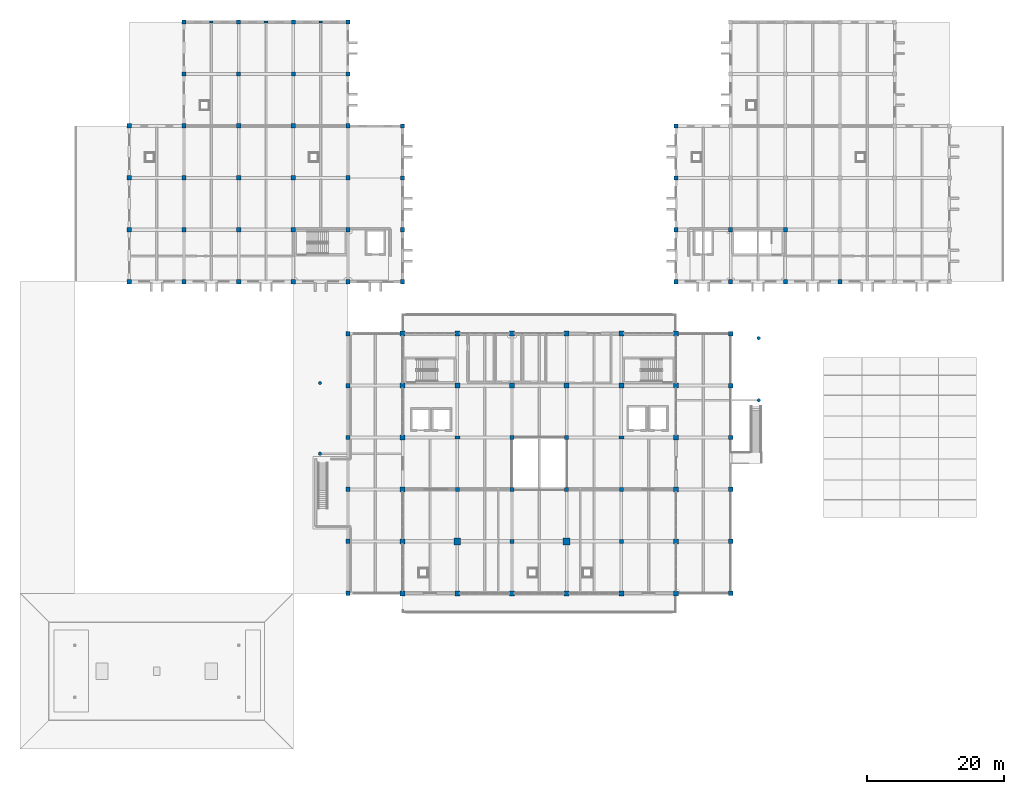
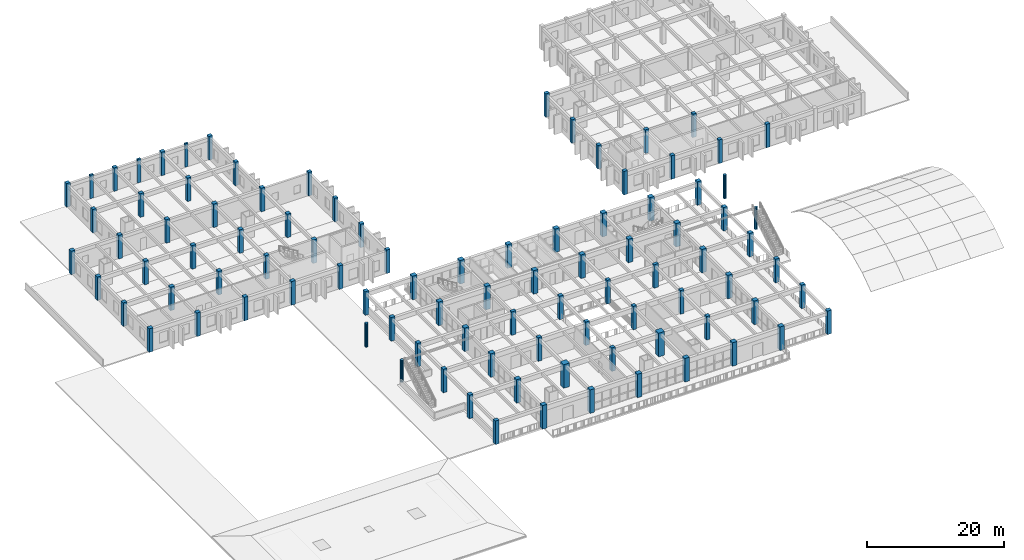
# One storey, part 2 of 63: 96 columns.
"""IFC4 building model written with IfcOpenShell, lengths in metres."""

from ifc_helpers import new_model, si_unit, direction, frame, origin, origin_2d, place, context, subcontext, project, spatial, rectangle, circle, extrude, material, material_profile, profile_set, type_object, element, save


model = new_model("IFC4")

# Units and contexts
model_context = context("Model", 3, precision=1e-05, world=origin(), true_north=direction((0.0, 1.0)))
body_context = subcontext(model_context, "Body", "Model", "MODEL_VIEW")
ifc_project = project(units=[si_unit("LENGTHUNIT", "METRE"), si_unit("AREAUNIT", "SQUARE_METRE"), si_unit("VOLUMEUNIT", "CUBIC_METRE"), si_unit("PLANEANGLEUNIT", "RADIAN"), si_unit("MASSUNIT", "GRAM", prefix="KILO")], contexts=[model_context])

# Site, building, storey
site_placement = place(None, origin())
site = spatial("IfcSite", under=ifc_project, at=site_placement, CompositionType="ELEMENT")
building_placement = place(site_placement, origin())
building = spatial("IfcBuilding", under=site, at=building_placement, Name="Zantavel Square City Hall", CompositionType="ELEMENT")
storey_placement = place(building_placement, frame((0.0, 0.0, 14.699951171875)))
storey = spatial("IfcBuildingStorey", under=building, at=storey_placement, Name="L04", CompositionType="ELEMENT", Elevation=14.699951171875)

# Columns
ifc_material = material(Name="Concrete C40/50", Category="concrete")
ifc_material_profile_1 = material_profile(ifc_material, rectangle(XDim=1.0, YDim=1.0, at=origin_2d()), Name="RC 1000x1000")
ifc_profile_set_1 = profile_set([ifc_material_profile_1], Name="Concrete C40/50")
column_type_1 = type_object("IfcColumnType", Name="Column RC 1000x1000 C40/50", PredefinedType="COLUMN", material=ifc_profile_set_1)
for number, where, z_axis, x_axis, name in (
    (1, (72.0, 38.0, 0.0), (0.0, 0.0, 1.0), (1.0, 0.0, 0.0), "L04 Column COL-L04-0720-0380"),
    (2, (88.0, 38.0, 0.0), (0.0, 0.0, 1.0), (1.0, 0.0, 0.0), "L04 Column COL-L04-0880-0380"),
):
    element("IfcColumn", number, at=place(storey_placement, frame(where, z_axis=z_axis, x_axis=x_axis)), inside=storey, type_object=column_type_1, Name=name, PredefinedType="COLUMN", context=body_context, shape_type="SweptSolid", body=[
        extrude(rectangle(XDim=1.0, YDim=1.0, at=origin_2d()), origin(), (0.0, 0.0, 1.0), 4.199951171875),
    ])
ifc_material_profile_2 = material_profile(ifc_material, rectangle(XDim=0.60009765625, YDim=0.60009765625, at=origin_2d()), Name="RC 600x600")
ifc_profile_set_2 = profile_set([ifc_material_profile_2], Name="Concrete C40/50")
column_type_2 = type_object("IfcColumnType", Name="Column RC 600x600 C40/50", PredefinedType="COLUMN", material=ifc_profile_set_2)
for number, where, z_axis, x_axis, name in (
    (3, (32.0, 106.39990234375, 0.0), (0.0, 0.0, 1.0), (1.0, 0.0, 0.0), "L04 Column COL-L04-0320-1064"),
    (4, (32.0, 114.0, 0.0), (0.0, 0.0, 1.0), (1.0, 0.0, 0.0), "L04 Column COL-L04-0320-1140"),
    (5, (40.0, 106.39990234375, 0.0), (0.0, 0.0, 1.0), (1.0, 0.0, 0.0), "L04 Column COL-L04-0400-1064"),
    (6, (40.0, 114.0, 0.0), (0.0, 0.0, 1.0), (1.0, 0.0, 0.0), "L04 Column COL-L04-0400-1140"),
    (7, (48.0, 106.39990234375, 0.0), (0.0, 0.0, 1.0), (1.0, 0.0, 0.0), "L04 Column COL-L04-0480-1064"),
    (8, (48.0, 114.0, 0.0), (0.0, 0.0, 1.0), (1.0, 0.0, 0.0), "L04 Column COL-L04-0480-1140"),
    (9, (56.0, 106.39990234375, 0.0), (0.0, 0.0, 1.0), (1.0, 0.0, 0.0), "L04 Column COL-L04-0560-1064"),
    (10, (56.0, 114.0, 0.0), (0.0, 0.0, 1.0), (1.0, 0.0, 0.0), "L04 Column COL-L04-0560-1140"),
    (11, (64.0, 76.0, 0.0), (0.0, 0.0, 1.0), (1.0, 0.0, 0.0), "L04 Column COL-L04-0640-0760"),
    (12, (64.0, 83.60009765625, 0.0), (0.0, 0.0, 1.0), (1.0, 0.0, 0.0), "L04 Column COL-L04-0640-0836"),
    (13, (64.0, 91.199951171875, 0.0), (0.0, 0.0, 1.0), (1.0, 0.0, 0.0), "L04 Column COL-L04-0640-0912"),
    (14, (64.0, 98.800048828125, 0.0), (0.0, 0.0, 1.0), (1.0, 0.0, 0.0), "L04 Column COL-L04-0640-0988"),
    (15, (72.0, 45.60009765625, 0.0), (0.0, 0.0, 1.0), (1.0, 0.0, 0.0), "L04 Column COL-L04-0720-0456"),
    (16, (80.0, 38.0, 0.0), (0.0, 0.0, 1.0), (1.0, 0.0, 0.0), "L04 Column COL-L04-0800-0380"),
    (17, (80.0, 45.60009765625, 0.0), (0.0, 0.0, 1.0), (1.0, 0.0, 0.0), "L04 Column COL-L04-0800-0456"),
    (18, (80.0, 53.199951171875, 0.0), (0.0, 0.0, 1.0), (1.0, 0.0, 0.0), "L04 Column COL-L04-0800-0532"),
    (19, (88.0, 45.60009765625, 0.0), (0.0, 0.0, 1.0), (1.0, 0.0, 0.0), "L04 Column COL-L04-0880-0456"),
    (20, (88.0, 53.199951171875, 0.0), (0.0, 0.0, 1.0), (1.0, 0.0, 0.0), "L04 Column COL-L04-0880-0532"),
    (21, (96.0, 38.0, 0.0), (0.0, 0.0, 1.0), (1.0, 0.0, 0.0), "L04 Column COL-L04-0960-0380"),
    (22, (96.0, 45.60009765625, 0.0), (0.0, 0.0, 1.0), (1.0, 0.0, 0.0), "L04 Column COL-L04-0960-0456"),
    (23, (104.0, 76.0, 0.0), (0.0, 0.0, 1.0), (1.0, 0.0, 0.0), "L04 Column COL-L04-1040-0760"),
    (24, (104.0, 83.60009765625, 0.0), (0.0, 0.0, 1.0), (1.0, 0.0, 0.0), "L04 Column COL-L04-1040-0836"),
    (25, (104.0, 91.199951171875, 0.0), (0.0, 0.0, 1.0), (1.0, 0.0, 0.0), "L04 Column COL-L04-1040-0912"),
    (26, (104.0, 98.800048828125, 0.0), (0.0, 0.0, 1.0), (1.0, 0.0, 0.0), "L04 Column COL-L04-1040-0988"),
    (27, (112.0, 76.0, 0.0), (0.0, 0.0, 1.0), (1.0, 0.0, 0.0), "L04 Column COL-L04-1120-0760"),
    (28, (112.0, 83.60009765625, 0.0), (0.0, 0.0, 1.0), (1.0, 0.0, 0.0), "L04 Column COL-L04-1120-0836"),
    (29, (120.0, 76.0, 0.0), (0.0, 0.0, 1.0), (1.0, 0.0, 0.0), "L04 Column COL-L04-1200-0760"),
    (30, (120.0, 83.60009765625, 0.0), (0.0, 0.0, 1.0), (1.0, 0.0, 0.0), "L04 Column COL-L04-1200-0836"),
    (31, (128.0, 76.0, 0.0), (0.0, 0.0, 1.0), (1.0, 0.0, 0.0), "L04 Column COL-L04-1280-0760"),
):
    element("IfcColumn", number, at=place(storey_placement, frame(where, z_axis=z_axis, x_axis=x_axis)), inside=storey, type_object=column_type_2, Name=name, PredefinedType="COLUMN", context=body_context, shape_type="SweptSolid", body=[
        extrude(rectangle(XDim=0.60009765625, YDim=0.60009765625, at=origin_2d()), origin(), (0.0, 0.0, 1.0), 4.199951171875),
    ])
ifc_material_profile_3 = material_profile(ifc_material, rectangle(XDim=0.64990234375, YDim=0.64990234375, at=origin_2d()), Name="RC 650x650")
ifc_profile_set_3 = profile_set([ifc_material_profile_3], Name="Concrete C40/50")
column_type_3 = type_object("IfcColumnType", Name="Column RC 650x650 C40/50", PredefinedType="COLUMN", material=ifc_profile_set_3)
for number, where, z_axis, x_axis, name in (
    (32, (24.0, 76.0, 0.0), (0.0, 0.0, 1.0), (1.0, 0.0, 0.0), "L04 Column COL-L04-0240-0760"),
    (33, (24.0, 83.60009765625, 0.0), (0.0, 0.0, 1.0), (1.0, 0.0, 0.0), "L04 Column COL-L04-0240-0836"),
    (34, (24.0, 91.199951171875, 0.0), (0.0, 0.0, 1.0), (1.0, 0.0, 0.0), "L04 Column COL-L04-0240-0912"),
    (35, (24.0, 98.800048828125, 0.0), (0.0, 0.0, 1.0), (1.0, 0.0, 0.0), "L04 Column COL-L04-0240-0988"),
    (36, (32.0, 76.0, 0.0), (0.0, 0.0, 1.0), (1.0, 0.0, 0.0), "L04 Column COL-L04-0320-0760"),
    (37, (32.0, 83.60009765625, 0.0), (0.0, 0.0, 1.0), (1.0, 0.0, 0.0), "L04 Column COL-L04-0320-0836"),
    (38, (32.0, 91.199951171875, 0.0), (0.0, 0.0, 1.0), (1.0, 0.0, 0.0), "L04 Column COL-L04-0320-0912"),
    (39, (32.0, 98.800048828125, 0.0), (0.0, 0.0, 1.0), (1.0, 0.0, 0.0), "L04 Column COL-L04-0320-0988"),
    (40, (40.0, 76.0, 0.0), (0.0, 0.0, 1.0), (1.0, 0.0, 0.0), "L04 Column COL-L04-0400-0760"),
    (41, (40.0, 83.60009765625, 0.0), (0.0, 0.0, 1.0), (1.0, 0.0, 0.0), "L04 Column COL-L04-0400-0836"),
    (42, (40.0, 91.199951171875, 0.0), (0.0, 0.0, 1.0), (1.0, 0.0, 0.0), "L04 Column COL-L04-0400-0912"),
    (43, (40.0, 98.800048828125, 0.0), (0.0, 0.0, 1.0), (1.0, 0.0, 0.0), "L04 Column COL-L04-0400-0988"),
    (44, (48.0, 76.0, 0.0), (0.0, 0.0, 1.0), (1.0, 0.0, 0.0), "L04 Column COL-L04-0480-0760"),
    (45, (48.0, 83.60009765625, 0.0), (0.0, 0.0, 1.0), (1.0, 0.0, 0.0), "L04 Column COL-L04-0480-0836"),
    (46, (48.0, 91.199951171875, 0.0), (0.0, 0.0, 1.0), (1.0, 0.0, 0.0), "L04 Column COL-L04-0480-0912"),
    (47, (48.0, 98.800048828125, 0.0), (0.0, 0.0, 1.0), (1.0, 0.0, 0.0), "L04 Column COL-L04-0480-0988"),
    (48, (56.0, 30.39990234375, 0.0), (0.0, 0.0, 1.0), (1.0, 0.0, 0.0), "L04 Column COL-L04-0560-0304"),
    (49, (56.0, 38.0, 0.0), (0.0, 0.0, 1.0), (1.0, 0.0, 0.0), "L04 Column COL-L04-0560-0380"),
    (50, (56.0, 45.60009765625, 0.0), (0.0, 0.0, 1.0), (1.0, 0.0, 0.0), "L04 Column COL-L04-0560-0456"),
    (51, (56.0, 53.199951171875, 0.0), (0.0, 0.0, 1.0), (1.0, 0.0, 0.0), "L04 Column COL-L04-0560-0532"),
    (52, (56.0, 60.800048828125, 0.0), (0.0, 0.0, 1.0), (1.0, 0.0, 0.0), "L04 Column COL-L04-0560-0608"),
    (53, (56.0, 68.39990234375, 0.0), (0.0, 0.0, 1.0), (1.0, 0.0, 0.0), "L04 Column COL-L04-0560-0684"),
    (54, (56.0, 76.0, 0.0), (0.0, 0.0, 1.0), (1.0, 0.0, 0.0), "L04 Column COL-L04-0560-0760"),
    (55, (56.0, 83.60009765625, 0.0), (0.0, 0.0, 1.0), (1.0, 0.0, 0.0), "L04 Column COL-L04-0560-0836"),
    (56, (56.0, 91.199951171875, 0.0), (0.0, 0.0, 1.0), (1.0, 0.0, 0.0), "L04 Column COL-L04-0560-0912"),
    (57, (56.0, 98.800048828125, 0.0), (0.0, 0.0, 1.0), (1.0, 0.0, 0.0), "L04 Column COL-L04-0560-0988"),
    (58, (112.0, 30.39990234375, 0.0), (0.0, 0.0, 1.0), (1.0, 0.0, 0.0), "L04 Column COL-L04-1120-0304"),
    (59, (112.0, 38.0, 0.0), (0.0, 0.0, 1.0), (1.0, 0.0, 0.0), "L04 Column COL-L04-1120-0380"),
    (60, (112.0, 45.60009765625, 0.0), (0.0, 0.0, 1.0), (1.0, 0.0, 0.0), "L04 Column COL-L04-1120-0456"),
    (61, (112.0, 53.199951171875, 0.0), (0.0, 0.0, 1.0), (1.0, 0.0, 0.0), "L04 Column COL-L04-1120-0532"),
    (62, (112.0, 60.800048828125, 0.0), (0.0, 0.0, 1.0), (1.0, 0.0, 0.0), "L04 Column COL-L04-1120-0608"),
    (63, (112.0, 68.39990234375, 0.0), (0.0, 0.0, 1.0), (1.0, 0.0, 0.0), "L04 Column COL-L04-1120-0684"),
):
    element("IfcColumn", number, at=place(storey_placement, frame(where, z_axis=z_axis, x_axis=x_axis)), inside=storey, type_object=column_type_3, Name=name, PredefinedType="COLUMN", context=body_context, shape_type="SweptSolid", body=[
        extrude(rectangle(XDim=0.64990234375, YDim=0.64990234375, at=origin_2d()), origin(), (0.0, 0.0, 1.0), 4.199951171875),
    ])
ifc_material_profile_4 = material_profile(ifc_material, rectangle(XDim=0.75, YDim=0.75, at=origin_2d()), Name="RC 750x750")
ifc_profile_set_4 = profile_set([ifc_material_profile_4], Name="Concrete C40/50")
column_type_4 = type_object("IfcColumnType", Name="Column RC 750x750 C40/50", PredefinedType="COLUMN", material=ifc_profile_set_4)
for number, where, z_axis, x_axis, name in (
    (64, (64.0, 30.39990234375, 0.0), (0.0, 0.0, 1.0), (1.0, 0.0, 0.0), "L04 Column COL-L04-0640-0304"),
    (65, (64.0, 38.0, 0.0), (0.0, 0.0, 1.0), (1.0, 0.0, 0.0), "L04 Column COL-L04-0640-0380"),
    (66, (64.0, 45.60009765625, 0.0), (0.0, 0.0, 1.0), (1.0, 0.0, 0.0), "L04 Column COL-L04-0640-0456"),
    (67, (64.0, 53.199951171875, 0.0), (0.0, 0.0, 1.0), (1.0, 0.0, 0.0), "L04 Column COL-L04-0640-0532"),
    (68, (64.0, 60.800048828125, 0.0), (0.0, 0.0, 1.0), (1.0, 0.0, 0.0), "L04 Column COL-L04-0640-0608"),
    (69, (64.0, 68.39990234375, 0.0), (0.0, 0.0, 1.0), (1.0, 0.0, 0.0), "L04 Column COL-L04-0640-0684"),
    (70, (72.0, 30.39990234375, 0.0), (0.0, 0.0, 1.0), (1.0, 0.0, 0.0), "L04 Column COL-L04-0720-0304"),
    (71, (72.0, 60.800048828125, 0.0), (0.0, 0.0, 1.0), (1.0, 0.0, 0.0), "L04 Column COL-L04-0720-0608"),
    (72, (72.0, 68.39990234375, 0.0), (0.0, 0.0, 1.0), (1.0, 0.0, 0.0), "L04 Column COL-L04-0720-0684"),
    (73, (80.0, 30.39990234375, 0.0), (0.0, 0.0, 1.0), (1.0, 0.0, 0.0), "L04 Column COL-L04-0800-0304"),
    (74, (80.0, 60.800048828125, 0.0), (0.0, 0.0, 1.0), (1.0, 0.0, 0.0), "L04 Column COL-L04-0800-0608"),
    (75, (80.0, 68.39990234375, 0.0), (0.0, 0.0, 1.0), (1.0, 0.0, 0.0), "L04 Column COL-L04-0800-0684"),
    (76, (88.0, 30.39990234375, 0.0), (0.0, 0.0, 1.0), (1.0, 0.0, 0.0), "L04 Column COL-L04-0880-0304"),
    (77, (88.0, 60.800048828125, 0.0), (0.0, 0.0, 1.0), (1.0, 0.0, 0.0), "L04 Column COL-L04-0880-0608"),
    (78, (88.0, 68.39990234375, 0.0), (0.0, 0.0, 1.0), (1.0, 0.0, 0.0), "L04 Column COL-L04-0880-0684"),
    (79, (96.0, 30.39990234375, 0.0), (0.0, 0.0, 1.0), (1.0, 0.0, 0.0), "L04 Column COL-L04-0960-0304"),
    (80, (96.0, 60.800048828125, 0.0), (0.0, 0.0, 1.0), (1.0, 0.0, 0.0), "L04 Column COL-L04-0960-0608"),
    (81, (96.0, 68.39990234375, 0.0), (0.0, 0.0, 1.0), (1.0, 0.0, 0.0), "L04 Column COL-L04-0960-0684"),
    (82, (104.0, 30.39990234375, 0.0), (0.0, 0.0, 1.0), (1.0, 0.0, 0.0), "L04 Column COL-L04-1040-0304"),
    (83, (104.0, 38.0, 0.0), (0.0, 0.0, 1.0), (1.0, 0.0, 0.0), "L04 Column COL-L04-1040-0380"),
    (84, (104.0, 45.60009765625, 0.0), (0.0, 0.0, 1.0), (1.0, 0.0, 0.0), "L04 Column COL-L04-1040-0456"),
    (85, (104.0, 53.199951171875, 0.0), (0.0, 0.0, 1.0), (1.0, 0.0, 0.0), "L04 Column COL-L04-1040-0532"),
    (86, (104.0, 60.800048828125, 0.0), (0.0, 0.0, 1.0), (1.0, 0.0, 0.0), "L04 Column COL-L04-1040-0608"),
    (87, (104.0, 68.39990234375, 0.0), (0.0, 0.0, 1.0), (1.0, 0.0, 0.0), "L04 Column COL-L04-1040-0684"),
):
    element("IfcColumn", number, at=place(storey_placement, frame(where, z_axis=z_axis, x_axis=x_axis)), inside=storey, type_object=column_type_4, Name=name, PredefinedType="COLUMN", context=body_context, shape_type="SweptSolid", body=[
        extrude(rectangle(XDim=0.75, YDim=0.75, at=origin_2d()), origin(), (0.0, 0.0, 1.0), 4.199951171875),
    ])
ifc_material_profile_5 = material_profile(ifc_material, rectangle(XDim=0.5, YDim=0.300048828125, at=origin_2d()), Name="RC 500x300")
ifc_profile_set_5 = profile_set([ifc_material_profile_5], Name="Concrete C40/50")
column_type_5 = type_object("IfcColumnType", Name="Courtyard Stone Pilaster 500x300 C40/50", PredefinedType="PILASTER", material=ifc_profile_set_5)
column_1_placement = place(storey_placement, frame((52.0, 114.0, 0.0), z_axis=(0.0, 0.0, 1.0), x_axis=(1.0, 0.0, 0.0)))
element("IfcColumn", 88, at=column_1_placement, inside=storey, type_object=column_type_5, Name="L04 Facade Pilaster PIL-L04-0520-1140", PredefinedType="PILASTER", context=body_context, shape_type="SweptSolid", body=[
    extrude(rectangle(XDim=0.5, YDim=0.300048828125, at=origin_2d()), origin(), (0.0, 0.0, 1.0), 4.199951171875),
])
ifc_material_profile_6 = material_profile(ifc_material, rectangle(XDim=0.550048828125, YDim=0.320068359375, at=origin_2d()), Name="RC 550x320")
ifc_profile_set_6 = profile_set([ifc_material_profile_6], Name="Concrete C40/50")
column_type_6 = type_object("IfcColumnType", Name="North Wing Stone Pilaster 550x320 C40/50", PredefinedType="PILASTER", material=ifc_profile_set_6)
for number, where, z_axis, x_axis, name in (
    (89, (36.0, 114.0, 0.0), (0.0, 0.0, 1.0), (1.0, 0.0, 0.0), "L04 Facade Pilaster PIL-L04-0360-1140"),
    (90, (44.0, 114.0, 0.0), (0.0, 0.0, 1.0), (1.0, 0.0, 0.0), "L04 Facade Pilaster PIL-L04-0440-1140"),
):
    element("IfcColumn", number, at=place(storey_placement, frame(where, z_axis=z_axis, x_axis=x_axis)), inside=storey, type_object=column_type_6, Name=name, PredefinedType="PILASTER", context=body_context, shape_type="SweptSolid", body=[
        extrude(rectangle(XDim=0.550048828125, YDim=0.320068359375, at=origin_2d()), origin(), (0.0, 0.0, 1.0), 4.199951171875),
    ])
ifc_material_profile_7 = material_profile(ifc_material, circle(Radius=0.25, at=origin_2d()), Name="ROUND D500")
ifc_profile_set_7 = profile_set([ifc_material_profile_7], Name="Concrete C40/50")
column_type_7 = type_object("IfcColumnType", Name="Portico Canopy Classical Column D500 C40/50", PredefinedType="COLUMN", material=ifc_profile_set_7)
column_2_placement = place(storey_placement, frame((116.10009765625, 58.659912109375, 0.0), z_axis=(0.0, 0.0, 1.0), x_axis=(1.0, 0.0, 0.0)))
element("IfcColumn", 91, at=column_2_placement, inside=storey, type_object=column_type_7, Name="L04 Terrace Stair Loggia Column 2", PredefinedType="COLUMN", context=body_context, shape_type="SweptSolid", body=[
    extrude(circle(Radius=0.25, at=origin_2d()), origin(), (0.0, 0.0, 1.0), 3.920166015625),
])
column_3_placement = place(storey_placement, frame((116.10009765625, 67.7451171875, 0.0), z_axis=(0.0, 0.0, 1.0), x_axis=(1.0, 0.0, 0.0)))
element("IfcColumn", 92, at=column_3_placement, inside=storey, type_object=column_type_7, Name="L04 Terrace Stair Loggia Column 3", PredefinedType="COLUMN", context=body_context, shape_type="SweptSolid", body=[
    extrude(circle(Radius=0.25, at=origin_2d()), origin(), (0.0, 0.0, 1.0), 4.199951171875),
])
column_4_placement = place(storey_placement, frame((51.89990234375, 50.8349609375, 0.0), z_axis=(0.0, 0.0, 1.0), x_axis=(1.0, 0.0, 0.0)))
element("IfcColumn", 93, at=column_4_placement, inside=storey, type_object=column_type_7, Name="L04 Terrace Stair Loggia Column 5", PredefinedType="COLUMN", context=body_context, shape_type="SweptSolid", body=[
    extrude(circle(Radius=0.25, at=origin_2d()), origin(), (0.0, 0.0, 1.0), 3.920166015625),
])
column_5_placement = place(storey_placement, frame((51.89990234375, 61.169921875, 0.0), z_axis=(0.0, 0.0, 1.0), x_axis=(1.0, 0.0, 0.0)))
element("IfcColumn", 94, at=column_5_placement, inside=storey, type_object=column_type_7, Name="L04 Terrace Stair Loggia Column 6", PredefinedType="COLUMN", context=body_context, shape_type="SweptSolid", body=[
    extrude(circle(Radius=0.25, at=origin_2d()), origin(), (0.0, 0.0, 1.0), 4.199951171875),
])
ifc_material_profile_8 = material_profile(ifc_material, rectangle(XDim=0.75, YDim=0.5, at=origin_2d()), Name="RC 750x500")
ifc_profile_set_8 = profile_set([ifc_material_profile_8], Name="Concrete C40/50")
column_type_8 = type_object("IfcColumnType", Name="Rectangular Lobby Pier RC 750x500 C40/50", PredefinedType="COLUMN", material=ifc_profile_set_8)
for number, where, z_axis, x_axis, name in (
    (95, (72.0, 53.199951171875, 0.0), (0.0, 0.0, 1.0), (1.0, 0.0, 0.0), "L04 Column COL-L04-0720-0532"),
    (96, (96.0, 53.199951171875, 0.0), (0.0, 0.0, 1.0), (1.0, 0.0, 0.0), "L04 Column COL-L04-0960-0532"),
):
    element("IfcColumn", number, at=place(storey_placement, frame(where, z_axis=z_axis, x_axis=x_axis)), inside=storey, type_object=column_type_8, Name=name, PredefinedType="COLUMN", context=body_context, shape_type="SweptSolid", body=[
        extrude(rectangle(XDim=0.75, YDim=0.5, at=origin_2d()), origin(), (0.0, 0.0, 1.0), 4.199951171875),
    ])

save(model, "model.ifc")
